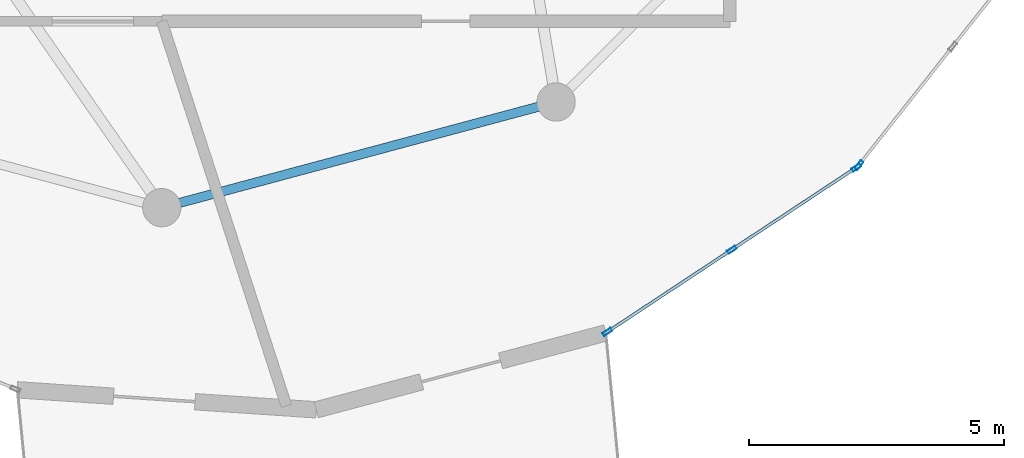
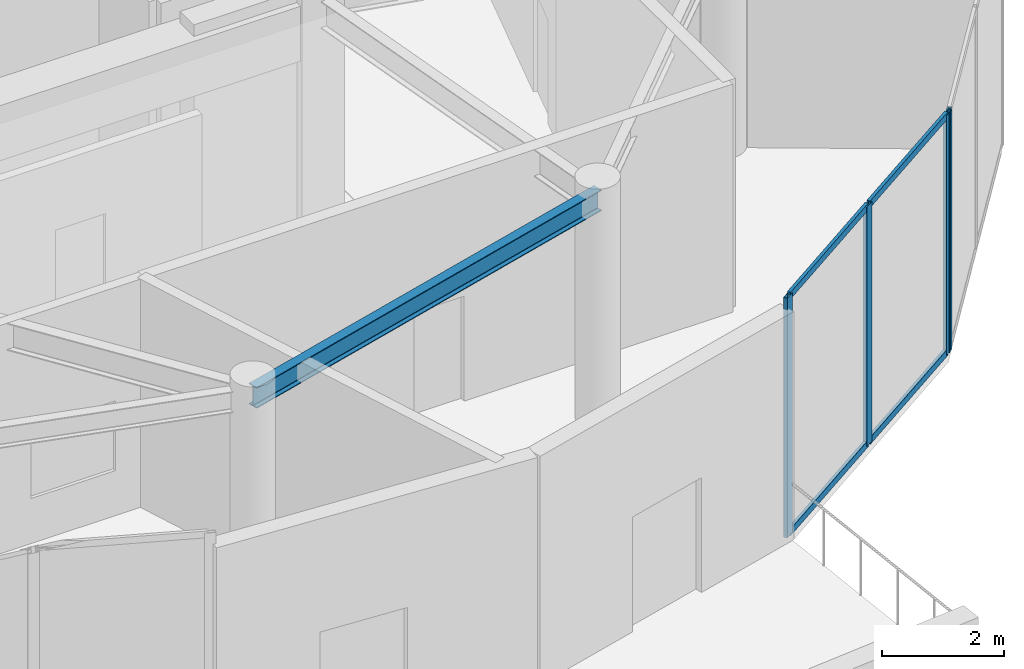
# One storey, part 4 of 21: 8 members, 1 beam, 2 elements without a shape of their own.
"""IFC4 building model written with IfcOpenShell, lengths in metres."""

from ifc_helpers import new_model, si_unit, direction, frame, origin, origin_2d, place, context, subcontext, project, spatial, hollow_rectangle, i_section, extrude, source, transform, mapped, material, layer, layer_set, material_profile, profile_set, type_object, element, aggregate, save


model = new_model("IFC4")

# Units and contexts
model_context = context("Model", 3, precision=1e-05, world=origin(), true_north=direction((0.0, 1.0)))
body_context = subcontext(model_context, "Body", "Model", "MODEL_VIEW")
ifc_project = project(units=[si_unit("LENGTHUNIT", "METRE"), si_unit("AREAUNIT", "SQUARE_METRE"), si_unit("VOLUMEUNIT", "CUBIC_METRE"), si_unit("PLANEANGLEUNIT", "RADIAN"), si_unit("MASSUNIT", "GRAM", prefix="KILO")], contexts=[model_context])

# Site, building, storey
site_placement = place(None, origin())
site = spatial("IfcSite", under=ifc_project, at=site_placement, CompositionType="ELEMENT")
building_placement = place(site_placement, origin())
building = spatial("IfcBuilding", under=site, at=building_placement, Name="Solvirekh Grand Hotel", CompositionType="ELEMENT")
storey_placement = place(building_placement, frame((0.0, 0.0, 262.0)))
storey = spatial("IfcBuildingStorey", under=building, at=storey_placement, Name="L68", CompositionType="ELEMENT", Elevation=262.0)

# Beam
ifc_material_1 = material(Name="Steel S355", Category="steel")
ifc_material_profile_1 = material_profile(ifc_material_1, i_section(OverallWidth=0.180908203125, OverallDepth=0.4169921875, WebThickness=0.010009765625, FlangeThickness=0.01611328125, FilletRadius=0.011962890625, at=origin_2d()), Name="W410X85")
ifc_profile_set_1 = profile_set([ifc_material_profile_1], Name="Steel S355")
beam_type = type_object("IfcBeamType", Name="Spandrel_Ring_W410", PredefinedType="SPANDREL", material=ifc_profile_set_1)
beam_placement = place(storey_placement, frame((0.0, -15.449951171875, 4.361083984375), z_axis=(0.965921616143, 0.258834757072, 0.0), x_axis=(-0.258834757072, 0.965921616143, 0.0)))
element("IfcBeam", 1, at=beam_placement, inside=storey, type_object=beam_type, Name="L68 perimeter spandrel beam 10", PredefinedType="SPANDREL", context=body_context, shape_type="SweptSolid", body=[
    extrude(i_section(OverallWidth=0.180908203125, OverallDepth=0.4169921875, WebThickness=0.010009765625, FlangeThickness=0.01611328125, FilletRadius=0.011962890625, at=origin_2d()), origin(), (0.0, 0.0, 1.0), 7.99755859375),
])

# Curtain wall, members
ifc_material_2 = material(Name="Anodized Bronze Aluminium 6063-T6", Category="aluminium")
ifc_layer = layer(ifc_material_2, 0.18994140625)
ifc_layer_set = layer_set([ifc_layer], Name="Anodized Bronze Aluminium 6063-T6")
curtain_wall_type = type_object("IfcCurtainWallType", Name="CW_Sys5_SkyLobbyPanoramaCW", PredefinedType="NOTDEFINED", material=ifc_layer_set)
curtain_wall_1_placement = place(storey_placement, origin())
curtain_wall_1 = element("IfcCurtainWall", 2, at=curtain_wall_1_placement, inside=storey, type_object=curtain_wall_type, Name="L68 unitised bronze-glass curtain wall CW-L68-C02", PredefinedType="NOTDEFINED")
ifc_material_profile_2 = material_profile(ifc_material_2, hollow_rectangle(XDim=0.070068359375, YDim=0.18994140625, WallThickness=0.0048828125, at=origin_2d()), Name="ALU RHS 190X70X5")
ifc_profile_set_2 = profile_set([ifc_material_profile_2], Name="Anodized Bronze Aluminium 6063-T6")
member_type_1 = type_object("IfcMemberType", Name="CWMullion_Sys5", PredefinedType="MULLION", material=ifc_profile_set_2)
shared_shape_1 = source(origin(), body_context, "Body", "SweptSolid", [
    extrude(hollow_rectangle(XDim=0.070068359375, YDim=0.18994140625, WallThickness=0.0048828125, at=origin_2d()), origin(), (0.0, 0.0, 1.0), 4.800048828125),
])
member_1_placement = place(storey_placement, frame((8.730224609375, -17.8828125, 0.0), z_axis=(0.0, 0.0, 1.0), x_axis=(-0.550988231285, 0.834513013071, 0.0)))
member_1 = element("IfcMember", 3, at=member_1_placement, type_object=member_type_1, Name="U05 mullion 1", PredefinedType="MULLION", context=body_context, shape_type="MappedRepresentation", body=[
    mapped(shared_shape_1, transform((0.0, 0.0, 0.0), x_axis=(1.0, 0.0, 0.0), y_axis=(0.0, 1.0, 0.0), z_axis=(0.0, 0.0, 1.0), scale=1.0)),
])
member_2_placement = place(storey_placement, frame((11.1689453125, -16.2724609375, 0.0), z_axis=(0.0, 0.0, 1.0), x_axis=(-0.550988231285, 0.834513013071, 0.0)))
member_2 = element("IfcMember", 4, at=member_2_placement, type_object=member_type_1, Name="U05 mullion 2", PredefinedType="MULLION", context=body_context, shape_type="MappedRepresentation", body=[
    mapped(shared_shape_1, transform((0.0, 0.0, 0.0), x_axis=(1.0, 0.0, 0.0), y_axis=(0.0, 1.0, 0.0), z_axis=(0.0, 0.0, 1.0), scale=1.0)),
])
member_3_placement = place(storey_placement, frame((13.60791015625, -14.662353515625, 0.0), z_axis=(0.0, 0.0, 1.0), x_axis=(-0.550988231285, 0.834513013071, 0.0)))
member_3 = element("IfcMember", 5, at=member_3_placement, type_object=member_type_1, Name="U05 mullion 3", PredefinedType="MULLION", context=body_context, shape_type="MappedRepresentation", body=[
    mapped(shared_shape_1, transform((0.0, 0.0, 0.0), x_axis=(1.0, 0.0, 0.0), y_axis=(0.0, 1.0, 0.0), z_axis=(0.0, 0.0, 1.0), scale=1.0)),
])

# Curtain wall, member
curtain_wall_2_placement = place(storey_placement, origin())
curtain_wall_2 = element("IfcCurtainWall", 6, at=curtain_wall_2_placement, inside=storey, type_object=curtain_wall_type, Name="L68 unitised bronze-glass curtain wall CW-L68-C03", PredefinedType="NOTDEFINED")
member_4_placement = place(storey_placement, frame((13.65869140625, -14.615478515625, 0.0), z_axis=(0.0, 0.0, 1.0), x_axis=(-0.784215180751, 0.620488960643, 0.0)))
member_4 = element("IfcMember", 7, at=member_4_placement, type_object=member_type_1, Name="U05 mullion 1", PredefinedType="MULLION", context=body_context, shape_type="MappedRepresentation", body=[
    mapped(shared_shape_1, transform((0.0, 0.0, 0.0), x_axis=(1.0, 0.0, 0.0), y_axis=(0.0, 1.0, 0.0), z_axis=(0.0, 0.0, 1.0), scale=1.0)),
])
aggregate(curtain_wall_2, [member_4])

# Member
ifc_material_profile_3 = material_profile(ifc_material_2, hollow_rectangle(XDim=0.06005859375, YDim=0.135009765625, WallThickness=0.00390625, at=origin_2d()), Name="ALU RHS 135X60X4")
ifc_profile_set_3 = profile_set([ifc_material_profile_3], Name="Anodized Bronze Aluminium 6063-T6")
member_type_2 = type_object("IfcMemberType", Name="CWTransom_Sys5", PredefinedType="USERDEFINED", material=ifc_profile_set_3)
shared_shape_2 = source(origin(), body_context, "Body", "SweptSolid", [
    extrude(hollow_rectangle(XDim=0.06005859375, YDim=0.135009765625, WallThickness=0.00390625, at=origin_2d()), origin(), (0.0, 0.0, 1.0), 2.8525390625),
])
member_5_placement = place(storey_placement, frame((8.759521484375, -17.863525390625, 0.030029296875), z_axis=(0.834491342027, 0.551021052304, 0.0), x_axis=(-0.551021052304, 0.834491342027, 0.0)))
member_5 = element("IfcMember", 8, at=member_5_placement, type_object=member_type_2, Name="U05 transom 1.1", ObjectType="TRANSOM", PredefinedType="USERDEFINED", context=body_context, shape_type="MappedRepresentation", body=[
    mapped(shared_shape_2, transform((0.0, 0.0, 0.0), x_axis=(1.0, 0.0, 0.0), y_axis=(0.0, 1.0, 0.0), z_axis=(0.0, 0.0, 1.0), scale=1.0)),
])

member_6_placement = place(storey_placement, frame((8.759521484375, -17.863525390625, 4.77001953125), z_axis=(0.834491342027, 0.551021052304, 0.0), x_axis=(-0.551021052304, 0.834491342027, 0.0)))
member_6 = element("IfcMember", 9, at=member_6_placement, type_object=member_type_2, Name="U05 transom 1.2", ObjectType="TRANSOM", PredefinedType="USERDEFINED", context=body_context, shape_type="MappedRepresentation", body=[
    mapped(shared_shape_2, transform((0.0, 0.0, 0.0), x_axis=(1.0, 0.0, 0.0), y_axis=(0.0, 1.0, 0.0), z_axis=(0.0, 0.0, 1.0), scale=1.0)),
])

shared_shape_3 = source(origin(), body_context, "Body", "SweptSolid", [
    extrude(hollow_rectangle(XDim=0.06005859375, YDim=0.135009765625, WallThickness=0.00390625, at=origin_2d()), origin(), (0.0, 0.0, 1.0), 2.852294921875),
])
member_7_placement = place(storey_placement, frame((11.1982421875, -16.253173828125, 0.030029296875), z_axis=(0.834530697418, 0.55096144608, 0.0), x_axis=(-0.55096144608, 0.834530697418, 0.0)))
member_7 = element("IfcMember", 10, at=member_7_placement, type_object=member_type_2, Name="U05 transom 2.1", ObjectType="TRANSOM", PredefinedType="USERDEFINED", context=body_context, shape_type="MappedRepresentation", body=[
    mapped(shared_shape_3, transform((0.0, 0.0, 0.0), x_axis=(1.0, 0.0, 0.0), y_axis=(0.0, 1.0, 0.0), z_axis=(0.0, 0.0, 1.0), scale=1.0)),
])

member_8_placement = place(storey_placement, frame((11.1982421875, -16.253173828125, 4.77001953125), z_axis=(0.834530697418, 0.55096144608, 0.0), x_axis=(-0.55096144608, 0.834530697418, 0.0)))
member_8 = element("IfcMember", 11, at=member_8_placement, type_object=member_type_2, Name="U05 transom 2.2", ObjectType="TRANSOM", PredefinedType="USERDEFINED", context=body_context, shape_type="MappedRepresentation", body=[
    mapped(shared_shape_3, transform((0.0, 0.0, 0.0), x_axis=(1.0, 0.0, 0.0), y_axis=(0.0, 1.0, 0.0), z_axis=(0.0, 0.0, 1.0), scale=1.0)),
])

aggregate(curtain_wall_1, [member_1, member_2, member_3, member_5, member_6, member_7, member_8])

save(model, "model.ifc")
